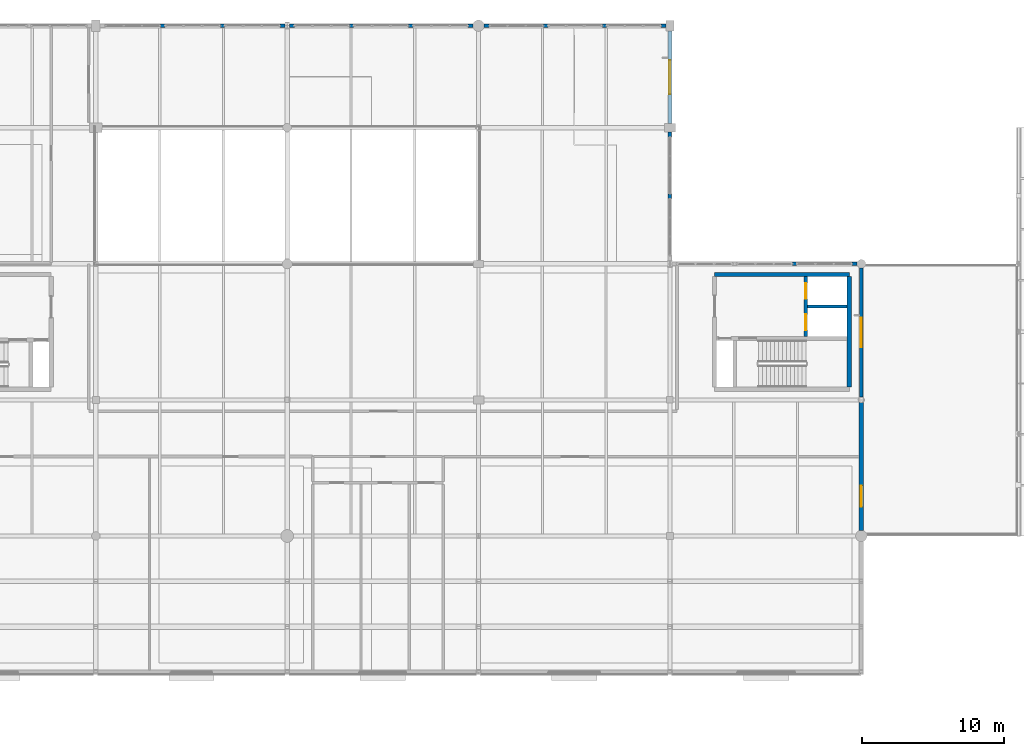
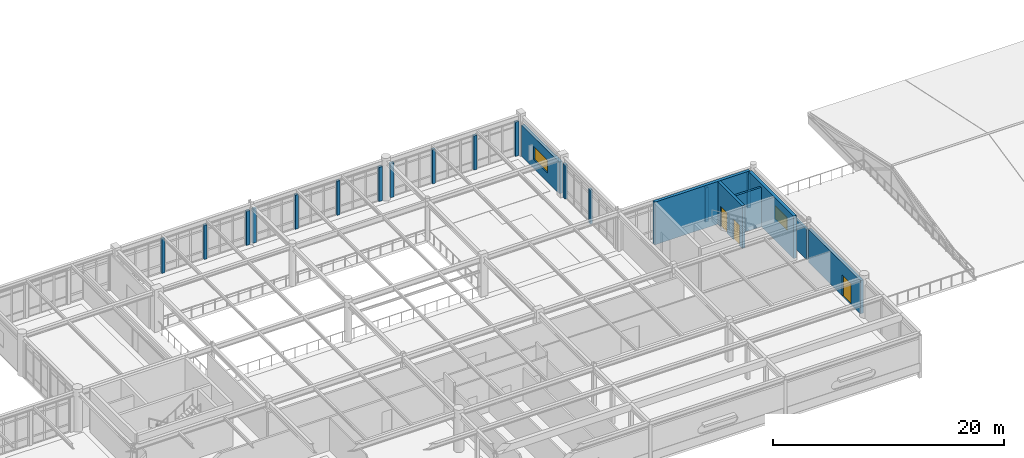
# One storey, part 50 of 61: 22 walls, 3 doors, 2 windows, 5 openings.
"""IFC4 building model written with IfcOpenShell, lengths in metres."""

import ifcopenshell
import ifcopenshell.guid

model = None  # the IFC model being written
_history = None  # IfcOwnerHistory: only IFC2X3 demands one
_inside = {}  # id of a spatial element -> (the spatial element, [elements in it])
_under = {}  # id of a project, library or spatial element -> (it, [spatial elements below it])
_declared = {}  # id of a project -> (the project, [libraries it declares])
_typed = {}  # id of a type object -> (the type object, [elements of that type])
_made_of = {}  # id of a material, layer set ... -> (it, [elements and type objects made of it])


def new_model(schema):
    """Start an empty IFC model of exactly this schema.

    Asked for "IFC4X3", IfcOpenShell would pick the latest addendum, in which some entities
    have other attributes; the version numbers below select the first issue.
    IFC2X3 requires an IfcOwnerHistory on every rooted entity: one is made here for all.
    """
    global model, _history
    if schema == "IFC4X3":
        model = ifcopenshell.file(schema_version=(4, 3, 0, 0))
    else:
        model = ifcopenshell.file(schema=schema)
    _inside.clear()
    _under.clear()
    _declared.clear()
    _typed.clear()
    _made_of.clear()
    _history = None
    if model.schema == "IFC2X3":
        org = make("IfcOrganization", Name="unknown")
        user = make(
            "IfcPersonAndOrganization",
            ThePerson=make("IfcPerson", FamilyName="unknown"),
            TheOrganization=org,
        )
        app = make(
            "IfcApplication",
            ApplicationDeveloper=org,
            Version="unknown",
            ApplicationFullName="unknown",
            ApplicationIdentifier="unknown",
        )
        _history = make(
            "IfcOwnerHistory",
            OwningUser=user,
            OwningApplication=app,
            ChangeAction="ADDED",
            CreationDate=0,
        )
    return model


def make(cls, **values):
    """One entity of the class cls with the attributes given. An attribute that is None is left unset."""
    return model.create_entity(
        cls, **{name: value for name, value in values.items() if value is not None}
    )


def rooted(cls, **values):
    """An entity with a GlobalId (a new one), such as an element, a storey or a relation."""
    return make(cls, GlobalId=ifcopenshell.guid.new(), OwnerHistory=_history, **values)


def si_unit(unit_type, name, prefix=None):
    """IfcSIUnit, for example si_unit("LENGTHUNIT", "METRE", prefix="MILLI")."""
    return make("IfcSIUnit", UnitType=unit_type, Prefix=prefix, Name=name)


def assignment(units):
    """IfcUnitAssignment: the units of a project."""
    return None if units is None else make("IfcUnitAssignment", Units=units)


def point(xyz):
    """IfcCartesianPoint."""
    return None if xyz is None else make("IfcCartesianPoint", Coordinates=xyz)


def direction(xyz):
    """IfcDirection."""
    return None if xyz is None else make("IfcDirection", DirectionRatios=xyz)


def frame(location, z_axis=None, x_axis=None):
    """IfcAxis2Placement3D, a coordinate frame: its origin and axes. An axis left out is left unset."""
    return make(
        "IfcAxis2Placement3D",
        Location=point(location),
        Axis=direction(z_axis),
        RefDirection=direction(x_axis),
    )


def frame_2d(location, x_axis=None):
    """IfcAxis2Placement2D, a coordinate frame in the plane: its origin and x axis."""
    return make(
        "IfcAxis2Placement2D", Location=point(location), RefDirection=direction(x_axis)
    )


def origin():
    """The frame at (0, 0, 0) with its axes left unset."""
    return frame((0.0, 0.0, 0.0))


def place(relative_to, where):
    """IfcLocalPlacement: puts the frame where relative to a parent placement (None: the world)."""
    return make(
        "IfcLocalPlacement", PlacementRelTo=relative_to, RelativePlacement=where
    )


def context(
    kind, dimensions, precision=None, world=None, true_north=None, identifier=None
):
    """IfcGeometricRepresentationContext, for example the 3D "Model" context."""
    return make(
        "IfcGeometricRepresentationContext",
        ContextIdentifier=identifier,
        ContextType=kind,
        CoordinateSpaceDimension=dimensions,
        Precision=precision,
        WorldCoordinateSystem=world,
        TrueNorth=true_north,
    )


def subcontext(parent, identifier, kind, view, scale=None):
    """IfcGeometricRepresentationSubContext, for example "Body" below "Model"."""
    return make(
        "IfcGeometricRepresentationSubContext",
        ContextIdentifier=identifier,
        ContextType=kind,
        ParentContext=parent,
        TargetScale=scale,
        TargetView=view,
    )


def project(units=None, contexts=None):
    """IfcProject with its units and contexts."""
    return rooted(
        "IfcProject",
        Name="project",
        RepresentationContexts=contexts,
        UnitsInContext=assignment(units),
    )


def spatial(cls, under=None, at=None, **own):
    """A site, building, storey or space (cls), placed at a placement, below another one or the project."""
    s = rooted(cls, ObjectPlacement=at, **own)
    if under is not None:
        _under.setdefault(under.id(), (under, []))[1].append(s)
    return s


def profile(cls, at=None, kind="AREA", **sizes):
    """A parametric profile (cls). Its sizes go by their IFC names, for example OverallWidth=200.0."""
    return make(cls, ProfileType=kind, Position=at, **sizes)


def rectangle(**sizes):
    """IfcRectangleProfileDef."""
    return profile("IfcRectangleProfileDef", **sizes)


def extrude(swept, where, along, depth):
    """IfcExtrudedAreaSolid: the profile swept, set in the frame where, extruded along a direction by depth."""
    return make(
        "IfcExtrudedAreaSolid",
        SweptArea=swept,
        Position=where,
        ExtrudedDirection=direction(along),
        Depth=depth,
    )


def shape(context_of_items, identifier, shape_type, items):
    """IfcShapeRepresentation: the items that make up one representation, for example the "Body"."""
    return make(
        "IfcShapeRepresentation",
        ContextOfItems=context_of_items,
        RepresentationIdentifier=identifier,
        RepresentationType=shape_type,
        Items=items,
    )


def material(Name=None, Category=None):
    """IfcMaterial."""
    return make("IfcMaterial", Name=Name, Category=Category)


def layer(
    of_material, thickness, ventilated=None, Name=None, Category=None, Priority=None
):
    """IfcMaterialLayer: one layer of a wall or slab, of a material (None: an air gap)."""
    return make(
        "IfcMaterialLayer",
        Material=of_material,
        LayerThickness=thickness,
        IsVentilated=ventilated,
        Name=Name,
        Category=Category,
        Priority=Priority,
    )


def layer_set(layers, Name=None):
    """IfcMaterialLayerSet."""
    return make("IfcMaterialLayerSet", MaterialLayers=layers, LayerSetName=Name)


def made_of(thing, what):
    """Note that an element or type object is made of a material, layer set ...; save() writes the relation."""
    if what is not None:
        _made_of.setdefault(what.id(), (what, []))[1].append(thing)
    return thing


def type_object(cls, material=None, **own):
    """A type object (cls), such as IfcWallType, which elements share."""
    return made_of(rooted(cls, **own), material)


def element(
    cls,
    number,
    at=None,
    inside=None,
    cuts=None,
    type_object=None,
    material=None,
    context=None,
    identifier="Body",
    shape_type=None,
    held_by="IfcProductDefinitionShape",
    body=None,
    shapes=None,
    **own,
):
    """One element of the class cls, such as IfcWall. Its Tag is "e" and its number.

    at: its placement. inside: the storey or other place that contains it. cuts: it is an
    opening in that element (IfcRelVoidsElement). A single representation is given by context,
    identifier, shape_type and body (its items); several are given by shapes. held_by: the class
    of the entity that holds the representations. save() writes the other relations.
    """
    e = rooted(cls, Tag="e%d" % number, ObjectPlacement=at, **own)
    if body is not None:
        shapes = [shape(context, identifier, shape_type, body)]
    if shapes is not None:
        e.Representation = make(held_by, Representations=shapes)
    if inside is not None:
        _inside.setdefault(inside.id(), (inside, []))[1].append(e)
    if cuts is not None:
        rooted(
            "IfcRelVoidsElement", RelatingBuildingElement=cuts, RelatedOpeningElement=e
        )
    if type_object is not None:
        _typed.setdefault(type_object.id(), (type_object, []))[1].append(e)
    return made_of(e, material)


def fill(opening, filler):
    """IfcRelFillsElement: the door or window that sits in an opening."""
    return rooted(
        "IfcRelFillsElement",
        RelatingOpeningElement=opening,
        RelatedBuildingElement=filler,
    )


def aggregate(whole, parts):
    """IfcRelAggregates: a whole, such as a stair, and the parts it consists of."""
    return rooted("IfcRelAggregates", RelatingObject=whole, RelatedObjects=parts)


def save(model, path):
    """Write the relations noted so far, then the file.

    IfcRelAggregates (storeys below a building ...), IfcRelContainedInSpatialStructure (elements
    in a storey), IfcRelDefinesByType, IfcRelAssociatesMaterial and IfcRelDeclares: one each for
    every whole, place, type object, material and project.
    """
    for whole, parts in _under.values():
        aggregate(whole, parts)
    for where, things in _inside.values():
        rooted(
            "IfcRelContainedInSpatialStructure",
            RelatedElements=things,
            RelatingStructure=where,
        )
    for kind, things in _typed.values():
        rooted("IfcRelDefinesByType", RelatedObjects=things, RelatingType=kind)
    for what, things in _made_of.values():
        rooted("IfcRelAssociatesMaterial", RelatedObjects=things, RelatingMaterial=what)
    for by, libraries in _declared.values():
        rooted("IfcRelDeclares", RelatingContext=by, RelatedDefinitions=libraries)
    model.write(path)


model = new_model("IFC4")

# Units and contexts
model_context = context("Model", 3, precision=1e-05, world=origin(), true_north=direction((0.0, 1.0)))
body_context = subcontext(model_context, "Body", "Model", "MODEL_VIEW")
ifc_project = project(units=[si_unit("LENGTHUNIT", "METRE"), si_unit("AREAUNIT", "SQUARE_METRE"), si_unit("VOLUMEUNIT", "CUBIC_METRE"), si_unit("PLANEANGLEUNIT", "RADIAN"), si_unit("MASSUNIT", "GRAM", prefix="KILO")], contexts=[model_context])

# Site, building, storey
site_placement = place(None, origin())
site = spatial("IfcSite", under=ifc_project, at=site_placement, CompositionType="ELEMENT")
building_placement = place(site_placement, origin())
building = spatial("IfcBuilding", under=site, at=building_placement, Name="Fikremerkos Civic Library", CompositionType="ELEMENT")
storey_placement = place(building_placement, frame((0.0, 0.0, 14.39990234375)))
storey = spatial("IfcBuildingStorey", under=building, at=storey_placement, Name="L03", CompositionType="ELEMENT", Elevation=14.39990234375)

# Walls
ifc_material_1 = material(Name="Concrete C40/50", Category="concrete")
ifc_layer_1 = layer(ifc_material_1, 0.300048828125, Name="Concrete C40/50")
ifc_layer_set_1 = layer_set([ifc_layer_1], Name="Concrete C40/50")
wall_type_1 = type_object("IfcWallType", Name="Core shear wall CSW-01 300", PredefinedType="SHEAR", material=ifc_layer_set_1)
wall_1_placement = place(storey_placement, frame((103.35009765625, 30.449951171875, 0.0), z_axis=(0.0, 0.0, 1.0), x_axis=(1.0, 0.0, 0.0)))
element("IfcWall", 1, at=wall_1_placement, inside=storey, type_object=wall_type_1, Name="Core K2 north shear wall L03", PredefinedType="SHEAR", context=body_context, shape_type="SweptSolid", body=[
    extrude(rectangle(XDim=9.5, YDim=0.300048828125, at=frame_2d((4.75, 0.0))), origin(), (0.0, 0.0, 1.0), 4.5),
])
wall_2_placement = place(storey_placement, frame((112.85009765625, 30.298095703125, 0.0), z_axis=(0.0, 0.0, 1.0), x_axis=(0.0, -1.0, 0.0)))
element("IfcWall", 2, at=wall_2_placement, inside=storey, type_object=wall_type_1, Name="Core K2 east shear wall L03", PredefinedType="SHEAR", context=body_context, shape_type="SweptSolid", body=[
    extrude(rectangle(XDim=7.796142578125, YDim=0.300048828125, at=frame_2d((3.89794921875, 0.0))), origin(), (0.0, 0.0, 1.0), 4.5),
])

# Wall, openings, doors
ifc_layer_2 = layer(ifc_material_1, 0.260009765625, Name="Concrete C40/50")
ifc_layer_set_2 = layer_set([ifc_layer_2], Name="Concrete C40/50")
wall_type_2 = type_object("IfcWallType", Name="Core shear wall CSW-02 260", PredefinedType="SHEAR", material=ifc_layer_set_2)
wall_3_placement = place(storey_placement, frame((109.77001953125, 26.06201171875, 0.0), z_axis=(0.0, 0.0, 1.0), x_axis=(0.0, 1.0, 0.0)))
wall_3 = element("IfcWall", 3, at=wall_3_placement, inside=storey, type_object=wall_type_2, Name="Core K2 lift shaft front wall L03", PredefinedType="SHEAR", context=body_context, shape_type="SweptSolid", body=[
    extrude(rectangle(XDim=4.236083984375, YDim=0.260009765625, at=frame_2d((2.1181640625, 0.0))), origin(), (0.0, 0.0, 1.0), 4.5),
])
opening_1_placement = place(wall_3_placement, frame((0.468017578125, 0.0, 0.0)))
opening_1 = element("IfcOpeningElement", 4, at=opening_1_placement, cuts=wall_3, Name="Opening LD27", PredefinedType="OPENING", context=body_context, shape_type="SweptSolid", body=[
    extrude(rectangle(XDim=1.10009765625, YDim=2.14990234375, at=frame_2d((0.550048828125, 1.074951171875))), frame((0.0, 0.139892578125, 0.0), z_axis=(0.0, -1.0, 0.0), x_axis=(1.0, 0.0, 0.0)), (0.0, 0.0, 1.0), 0.280029296875),
])
opening_2_placement = place(wall_3_placement, frame((2.66796875, 0.0, 0.0)))
opening_2 = element("IfcOpeningElement", 5, at=opening_2_placement, cuts=wall_3, Name="Opening LD28", PredefinedType="OPENING", context=body_context, shape_type="SweptSolid", body=[
    extrude(rectangle(XDim=1.10009765625, YDim=2.14990234375, at=frame_2d((0.550048828125, 1.074951171875))), frame((0.0, 0.139892578125, 0.0), z_axis=(0.0, -1.0, 0.0), x_axis=(1.0, 0.0, 0.0)), (0.0, 0.0, 1.0), 0.280029296875),
])
ifc_material_2 = material(Name="Brushed stainless steel", Category="steel")
door_type_1 = type_object("IfcDoorType", Name="Lift landing door LDT-01 1100x2150", OperationType="NOTDEFINED", PredefinedType="DOOR", material=ifc_material_2)
door_1_placement = place(opening_1_placement, origin())
door_1 = element("IfcDoor", 6, at=door_1_placement, inside=storey, type_object=door_type_1, Name="Lift LF03 sliding landing door LD27 L03", OperationType="SLIDING_TO_LEFT", OverallHeight=2.14990234375, OverallWidth=1.10009765625, PredefinedType="DOOR", context=body_context, shape_type="SweptSolid", body=[
    extrude(rectangle(XDim=1.10009765625, YDim=2.14990234375, at=frame_2d((0.550048828125, 1.074951171875))), frame((0.0, 0.032470703125, 0.0), z_axis=(0.0, -1.0, 0.0), x_axis=(1.0, 0.0, 0.0)), (0.0, 0.0, 1.0), 0.06494140625),
])
fill(opening_1, door_1)
door_2_placement = place(opening_2_placement, origin())
door_2 = element("IfcDoor", 7, at=door_2_placement, inside=storey, type_object=door_type_1, Name="Lift LF04 sliding landing door LD28 L03", OperationType="SLIDING_TO_LEFT", OverallHeight=2.14990234375, OverallWidth=1.10009765625, PredefinedType="DOOR", context=body_context, shape_type="SweptSolid", body=[
    extrude(rectangle(XDim=1.10009765625, YDim=2.14990234375, at=frame_2d((0.550048828125, 1.074951171875))), frame((0.0, 0.032470703125, 0.0), z_axis=(0.0, -1.0, 0.0), x_axis=(1.0, 0.0, 0.0)), (0.0, 0.0, 1.0), 0.06494140625),
])
fill(opening_2, door_2)

# Wall, opening, window
ifc_material_3 = material(Name="Precast concrete C40/50", Category="concrete")
ifc_layer_3 = layer(ifc_material_3, 0.300048828125, Name="Precast concrete C40/50")
ifc_layer_set_3 = layer_set([ifc_layer_3], Name="Precast concrete C40/50")
wall_type_3 = type_object("IfcWallType", Name="Exterior solid wall ESW-03 300", PredefinedType="SOLIDWALL", material=ifc_layer_set_3)
wall_4_placement = place(storey_placement, frame((100.199951171875, 47.626953125, 0.0), z_axis=(0.0, 0.0, 1.0), x_axis=(0.0, -1.0, 0.0)))
wall_4 = element("IfcWall", 8, at=wall_4_placement, inside=storey, type_object=wall_type_3, Name="Exterior solid wall ESW-03 L03 #582", PredefinedType="SOLIDWALL", context=body_context, shape_type="SweptSolid", body=[
    extrude(rectangle(XDim=6.529052734375, YDim=0.300048828125, at=frame_2d((3.2646484375, 0.0))), origin(), (0.0, 0.0, 1.0), 3.330078125),
])
opening_3_placement = place(wall_4_placement, frame((2.064453125, 0.0, 0.949951171875)))
opening_3 = element("IfcOpeningElement", 9, at=opening_3_placement, cuts=wall_4, Name="Opening CWND-07", PredefinedType="OPENING", context=body_context, shape_type="SweptSolid", body=[
    extrude(rectangle(XDim=2.39990234375, YDim=1.35009765625, at=frame_2d((1.199951171875, 0.675048828125))), frame((0.0, 0.159912109375, 0.0), z_axis=(0.0, -1.0, 0.0), x_axis=(1.0, 0.0, 0.0)), (0.0, 0.0, 1.0), 0.320068359375),
])
ifc_material_4 = material(Name="Solar control double glazing", Category="glass")
window_type_1 = type_object("IfcWindowType", Name="Courtyard window CWND-07 2400x1350", PartitioningType="SINGLE_PANEL", PredefinedType="WINDOW", material=ifc_material_4)
window_1_placement = place(opening_3_placement, origin())
window_1 = element("IfcWindow", 10, at=window_1_placement, inside=storey, type_object=window_type_1, Name="Courtyard window CWND-07 L03 #39", OverallHeight=1.35009765625, OverallWidth=2.39990234375, PartitioningType="SINGLE_PANEL", PredefinedType="WINDOW", context=body_context, shape_type="SweptSolid", body=[
    extrude(rectangle(XDim=2.39990234375, YDim=1.35009765625, at=frame_2d((1.199951171875, 0.675048828125))), frame((0.0, 0.032470703125, 0.0), z_axis=(0.0, -1.0, 0.0), x_axis=(1.0, 0.0, 0.0)), (0.0, 0.0, 1.0), 0.06494140625),
])
fill(opening_3, window_1)

# Wall, opening, door
wall_5_placement = place(storey_placement, frame((113.699951171875, 21.398681640625, 0.0), z_axis=(0.0, 0.0, 1.0), x_axis=(0.0, -1.0, 0.0)))
wall_5 = element("IfcWall", 11, at=wall_5_placement, inside=storey, type_object=wall_type_3, Name="Terrace threshold wall ESW-03 L03 #591", PredefinedType="SOLIDWALL", context=body_context, shape_type="SweptSolid", body=[
    extrude(rectangle(XDim=9.000732421875, YDim=0.300048828125, at=frame_2d((4.50048828125, 0.0))), origin(), (0.0, 0.0, 1.0), 3.5),
])
opening_4_placement = place(wall_5_placement, frame((5.848876953125, 0.0, 0.0)))
opening_4 = element("IfcOpeningElement", 12, at=opening_4_placement, cuts=wall_5, Name="Opening D025", PredefinedType="OPENING", context=body_context, shape_type="SweptSolid", body=[
    extrude(rectangle(XDim=1.5, YDim=2.199951171875, at=frame_2d((0.75, 1.10009765625))), frame((0.0, 0.159912109375, 0.0), z_axis=(0.0, -1.0, 0.0), x_axis=(1.0, 0.0, 0.0)), (0.0, 0.0, 1.0), 0.320068359375),
])
ifc_material_5 = material(Name="Thermally broken bronze aluminium and glass", Category="aluminium")
door_type_2 = type_object("IfcDoorType", Name="Pedestrian door DT-13 1500x2200", OperationType="NOTDEFINED", PredefinedType="DOOR", material=ifc_material_5)
door_3_placement = place(opening_4_placement, origin())
door_3 = element("IfcDoor", 13, at=door_3_placement, inside=storey, type_object=door_type_2, Name="Reading terrace access door D025 L03", OperationType="SINGLE_SWING_LEFT", OverallHeight=2.199951171875, OverallWidth=1.5, PredefinedType="DOOR", context=body_context, shape_type="SweptSolid", body=[
    extrude(rectangle(XDim=1.5, YDim=2.199951171875, at=frame_2d((0.75, 1.10009765625))), frame((0.0, 0.032470703125, 0.0), z_axis=(0.0, -1.0, 0.0), x_axis=(1.0, 0.0, 0.0)), (0.0, 0.0, 1.0), 0.06494140625),
])
fill(opening_4, door_3)

# Walls
ifc_layer_4 = layer(ifc_material_3, 0.25, Name="Precast concrete C40/50")
ifc_layer_set_4 = layer_set([ifc_layer_4], Name="Precast concrete C40/50")
wall_type_4 = type_object("IfcWallType", Name="Exterior solid wall ESW-05 250", PredefinedType="SOLIDWALL", material=ifc_layer_set_4)
wall_6_placement = place(storey_placement, frame((72.701904296875, 48.0, 0.0), z_axis=(0.0, 0.0, 1.0), x_axis=(1.0, 0.0, 0.0)))
element("IfcWall", 14, at=wall_6_placement, inside=storey, type_object=wall_type_4, Name="Exterior facade pier ESW-05 #571", PredefinedType="SOLIDWALL", context=body_context, shape_type="SweptSolid", body=[
    extrude(rectangle(XDim=0.35009765625, YDim=0.25, at=frame_2d((0.175048828125, 0.0))), origin(), (0.0, 0.0, 1.0), 3.610107421875),
])
wall_7_placement = place(storey_placement, frame((64.26611328125, 48.0, 0.0), z_axis=(0.0, 0.0, 1.0), x_axis=(1.0, 0.0, 0.0)))
element("IfcWall", 15, at=wall_7_placement, inside=storey, type_object=wall_type_4, Name="Exterior facade mullion pier ESW-05 #572", PredefinedType="SOLIDWALL", context=body_context, shape_type="SweptSolid", body=[
    extrude(rectangle(XDim=0.2998046875, YDim=0.25, at=frame_2d((0.14990234375, 0.0))), origin(), (0.0, 0.0, 1.0), 3.610107421875),
])
wall_8_placement = place(storey_placement, frame((68.48388671875, 48.0, 0.0), z_axis=(0.0, 0.0, 1.0), x_axis=(1.0, 0.0, 0.0)))
element("IfcWall", 16, at=wall_8_placement, inside=storey, type_object=wall_type_4, Name="Exterior facade mullion pier ESW-05 #573", PredefinedType="SOLIDWALL", context=body_context, shape_type="SweptSolid", body=[
    extrude(rectangle(XDim=0.300048828125, YDim=0.25, at=frame_2d((0.14990234375, 0.0))), origin(), (0.0, 0.0, 1.0), 3.610107421875),
])
for number, where, z_axis, x_axis, name in (
    (17, (73.347900390625, 48.0, 0.0), (0.0, 0.0, 1.0), (1.0, 0.0, 0.0), "Exterior facade pier ESW-05 #574"),
    (18, (85.951904296875, 48.0, 0.0), (0.0, 0.0, 1.0), (1.0, 0.0, 0.0), "Exterior facade pier ESW-05 #575"),
):
    element("IfcWall", number, at=place(storey_placement, frame(where, z_axis=z_axis, x_axis=x_axis)), inside=storey, type_object=wall_type_4, Name=name, PredefinedType="SOLIDWALL", context=body_context, shape_type="SweptSolid", body=[
        extrude(rectangle(XDim=0.35009765625, YDim=0.25, at=frame_2d((0.175048828125, 0.0))), origin(), (0.0, 0.0, 1.0), 3.610107421875),
    ])
wall_9_placement = place(storey_placement, frame((77.582763671875, 48.0, 0.0), z_axis=(0.0, 0.0, 1.0), x_axis=(1.0, 0.0, 0.0)))
element("IfcWall", 19, at=wall_9_placement, inside=storey, type_object=wall_type_4, Name="Exterior facade mullion pier ESW-05 #576", PredefinedType="SOLIDWALL", context=body_context, shape_type="SweptSolid", body=[
    extrude(rectangle(XDim=0.2998046875, YDim=0.25, at=frame_2d((0.14990234375, 0.0))), origin(), (0.0, 0.0, 1.0), 3.610107421875),
])
wall_10_placement = place(storey_placement, frame((81.767333984375, 48.0, 0.0), z_axis=(0.0, 0.0, 1.0), x_axis=(1.0, 0.0, 0.0)))
element("IfcWall", 20, at=wall_10_placement, inside=storey, type_object=wall_type_4, Name="Exterior facade mullion pier ESW-05 #577", PredefinedType="SOLIDWALL", context=body_context, shape_type="SweptSolid", body=[
    extrude(rectangle(XDim=0.300048828125, YDim=0.25, at=frame_2d((0.14990234375, 0.0))), origin(), (0.0, 0.0, 1.0), 3.610107421875),
])
for number, where, z_axis, x_axis, name in (
    (21, (87.097900390625, 48.0, 0.0), (0.0, 0.0, 1.0), (1.0, 0.0, 0.0), "Exterior facade pier ESW-05 #578"),
    (22, (99.576904296875, 48.0, 0.0), (0.0, 0.0, 1.0), (1.0, 0.0, 0.0), "Exterior facade pier ESW-05 #579"),
):
    element("IfcWall", number, at=place(storey_placement, frame(where, z_axis=z_axis, x_axis=x_axis)), inside=storey, type_object=wall_type_4, Name=name, PredefinedType="SOLIDWALL", context=body_context, shape_type="SweptSolid", body=[
        extrude(rectangle(XDim=0.35009765625, YDim=0.25, at=frame_2d((0.175048828125, 0.0))), origin(), (0.0, 0.0, 1.0), 3.6201171875),
    ])
wall_11_placement = place(storey_placement, frame((91.291015625, 48.0, 0.0), z_axis=(0.0, 0.0, 1.0), x_axis=(1.0, 0.0, 0.0)))
element("IfcWall", 23, at=wall_11_placement, inside=storey, type_object=wall_type_4, Name="Exterior facade mullion pier ESW-05 #580", PredefinedType="SOLIDWALL", context=body_context, shape_type="SweptSolid", body=[
    extrude(rectangle(XDim=0.300048828125, YDim=0.25, at=frame_2d((0.14990234375, 0.0))), origin(), (0.0, 0.0, 1.0), 3.6201171875),
])
wall_12_placement = place(storey_placement, frame((95.43408203125, 48.0, 0.0), z_axis=(0.0, 0.0, 1.0), x_axis=(1.0, 0.0, 0.0)))
element("IfcWall", 24, at=wall_12_placement, inside=storey, type_object=wall_type_4, Name="Exterior facade mullion pier ESW-05 #581", PredefinedType="SOLIDWALL", context=body_context, shape_type="SweptSolid", body=[
    extrude(rectangle(XDim=0.2998046875, YDim=0.25, at=frame_2d((0.14990234375, 0.0))), origin(), (0.0, 0.0, 1.0), 3.6201171875),
])
wall_13_placement = place(storey_placement, frame((100.199951171875, 40.501953125, 0.0), z_axis=(0.0, 0.0, 1.0), x_axis=(0.0, -1.0, 0.0)))
element("IfcWall", 25, at=wall_13_placement, inside=storey, type_object=wall_type_4, Name="Exterior facade pier ESW-05 #583", PredefinedType="SOLIDWALL", context=body_context, shape_type="SweptSolid", body=[
    extrude(rectangle(XDim=0.349853515625, YDim=0.25, at=frame_2d((0.1748046875, 0.0))), origin(), (0.0, 0.0, 1.0), 3.60009765625),
])
wall_14_placement = place(storey_placement, frame((100.199951171875, 36.112548828125, 0.0), z_axis=(0.0, 0.0, 1.0), x_axis=(0.0, -1.0, 0.0)))
element("IfcWall", 26, at=wall_14_placement, inside=storey, type_object=wall_type_4, Name="Exterior facade mullion pier ESW-05 #585", PredefinedType="SOLIDWALL", context=body_context, shape_type="SweptSolid", body=[
    extrude(rectangle(XDim=0.300048828125, YDim=0.25, at=frame_2d((0.14990234375, 0.0))), origin(), (0.0, 0.0, 1.0), 3.60009765625),
])
wall_15_placement = place(storey_placement, frame((113.052001953125, 31.199951171875, 0.0), z_axis=(0.0, 0.0, 1.0), x_axis=(1.0, 0.0, 0.0)))
element("IfcWall", 27, at=wall_15_placement, inside=storey, type_object=wall_type_4, Name="Exterior facade pier ESW-05 #587", PredefinedType="SOLIDWALL", context=body_context, shape_type="SweptSolid", body=[
    extrude(rectangle(XDim=0.35009765625, YDim=0.25, at=frame_2d((0.175048828125, 0.0))), origin(), (0.0, 0.0, 1.0), 3.60009765625),
])
wall_16_placement = place(storey_placement, frame((108.833984375, 31.199951171875, 0.0), z_axis=(0.0, 0.0, 1.0), x_axis=(1.0, 0.0, 0.0)))
element("IfcWall", 28, at=wall_16_placement, inside=storey, type_object=wall_type_4, Name="Exterior facade mullion pier ESW-05 #589", PredefinedType="SOLIDWALL", context=body_context, shape_type="SweptSolid", body=[
    extrude(rectangle(XDim=0.300048828125, YDim=0.25, at=frame_2d((0.14990234375, 0.0))), origin(), (0.0, 0.0, 1.0), 3.60009765625),
])

# Wall, opening, window
ifc_layer_5 = layer(ifc_material_3, 0.219970703125, Name="Precast concrete C40/50")
ifc_layer_set_5 = layer_set([ifc_layer_5], Name="Precast concrete C40/50")
wall_type_5 = type_object("IfcWallType", Name="Exterior solid wall ESW-06 220", PredefinedType="SOLIDWALL", material=ifc_layer_set_5)
wall_17_placement = place(storey_placement, frame((113.699951171875, 30.902099609375, 0.0), z_axis=(0.0, 0.0, 1.0), x_axis=(0.0, -1.0, 0.0)))
wall_17 = element("IfcWall", 29, at=wall_17_placement, inside=storey, type_object=wall_type_5, Name="Exterior solid wall ESW-06 L03 #590", PredefinedType="SOLIDWALL", context=body_context, shape_type="SweptSolid", body=[
    extrude(rectangle(XDim=9.100830078125, YDim=0.219970703125, at=frame_2d((4.55029296875, 0.0))), origin(), (0.0, 0.0, 1.0), 3.210205078125),
])
opening_5_placement = place(wall_17_placement, frame((3.50048828125, 0.0, 0.949951171875)))
opening_5 = element("IfcOpeningElement", 30, at=opening_5_placement, cuts=wall_17, Name="Opening CWND-08", PredefinedType="OPENING", context=body_context, shape_type="SweptSolid", body=[
    extrude(rectangle(XDim=2.10009765625, YDim=1.35009765625, at=frame_2d((1.050048828125, 0.675048828125))), frame((0.0, 0.119873046875, 0.0), z_axis=(0.0, -1.0, 0.0), x_axis=(1.0, 0.0, 0.0)), (0.0, 0.0, 1.0), 0.239990234375),
])
window_type_2 = type_object("IfcWindowType", Name="Courtyard window CWND-08 2100x1350", PartitioningType="SINGLE_PANEL", PredefinedType="WINDOW", material=ifc_material_4)
window_2_placement = place(opening_5_placement, origin())
window_2 = element("IfcWindow", 31, at=window_2_placement, inside=storey, type_object=window_type_2, Name="Courtyard window CWND-08 L03 #40", OverallHeight=1.35009765625, OverallWidth=2.10009765625, PartitioningType="SINGLE_PANEL", PredefinedType="WINDOW", context=body_context, shape_type="SweptSolid", body=[
    extrude(rectangle(XDim=2.10009765625, YDim=1.35009765625, at=frame_2d((1.050048828125, 0.675048828125))), frame((0.0, 0.032470703125, 0.0), z_axis=(0.0, -1.0, 0.0), x_axis=(1.0, 0.0, 0.0)), (0.0, 0.0, 1.0), 0.06494140625),
])
fill(opening_5, window_2)

# Wall
ifc_material_6 = material(Name="Concrete C35/45", Category="concrete")
ifc_layer_6 = layer(ifc_material_6, 0.199951171875, Name="Concrete C35/45")
ifc_layer_set_6 = layer_set([ifc_layer_6], Name="Concrete C35/45")
wall_type_6 = type_object("IfcWallType", Name="Service duct wall SDW-01 200", PredefinedType="PLUMBINGWALL", material=ifc_layer_set_6)
wall_18_placement = place(storey_placement, frame((109.902099609375, 28.179931640625, 0.0), z_axis=(0.0, 0.0, 1.0), x_axis=(1.0, 0.0, 0.0)))
element("IfcWall", 32, at=wall_18_placement, inside=storey, type_object=wall_type_6, Name="Core K2 inter-lift shaft wall L03", PredefinedType="PLUMBINGWALL", context=body_context, shape_type="SweptSolid", body=[
    extrude(rectangle(XDim=2.7958984375, YDim=0.199951171875, at=frame_2d((1.39794921875, 0.0))), origin(), (0.0, 0.0, 1.0), 4.16015625),
])

save(model, "model.ifc")
